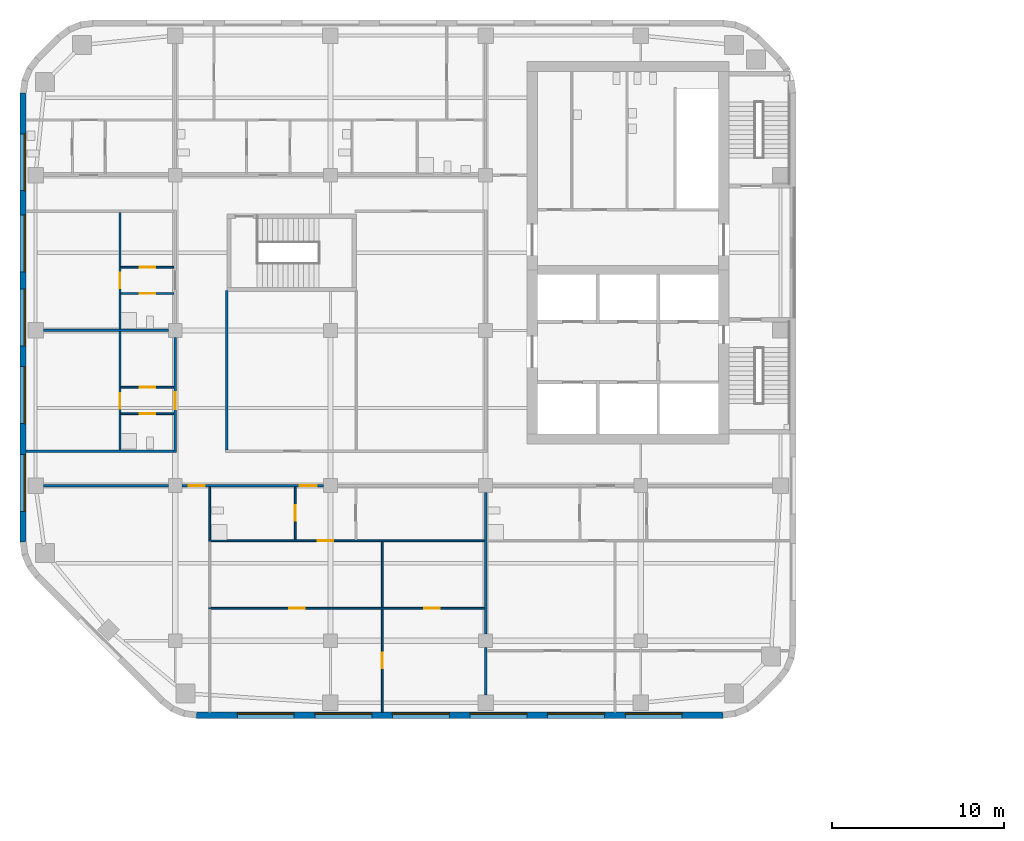
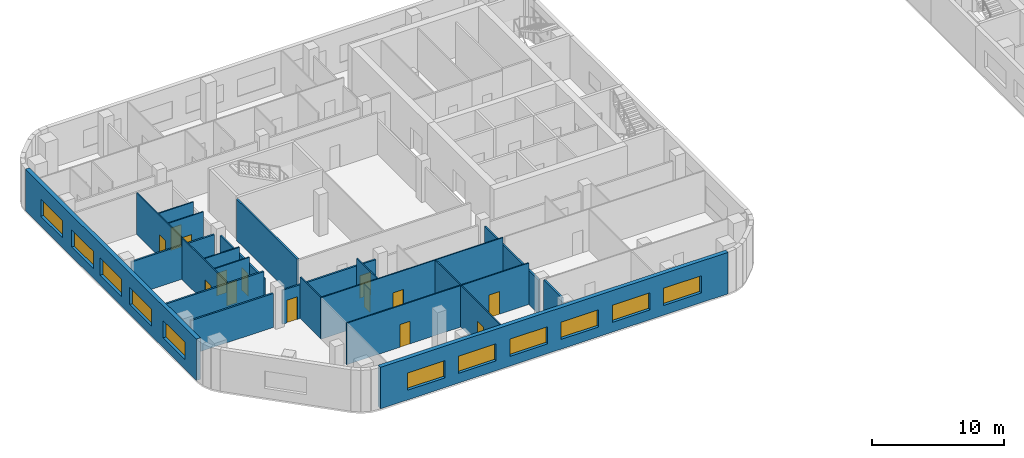
# One storey, part 5 of 16: 22 walls, 14 doors, 11 windows, 25 openings.
"""IFC4 building model written with IfcOpenShell, lengths in metres."""

from ifc_helpers import new_model, si_unit, direction, frame, frame_2d, origin, place, context, subcontext, project, spatial, rectangle, extrude, material, layer, layer_set, type_object, element, fill, save


model = new_model("IFC4")

# Units and contexts
model_context = context("Model", 3, precision=1e-05, world=origin(), true_north=direction((0.0, 1.0)))
body_context = subcontext(model_context, "Body", "Model", "MODEL_VIEW")
ifc_project = project(units=[si_unit("LENGTHUNIT", "METRE"), si_unit("AREAUNIT", "SQUARE_METRE"), si_unit("VOLUMEUNIT", "CUBIC_METRE"), si_unit("PLANEANGLEUNIT", "RADIAN"), si_unit("MASSUNIT", "GRAM", prefix="KILO")], contexts=[model_context])

# Site, building, storey
site_placement = place(None, origin())
site = spatial("IfcSite", under=ifc_project, at=site_placement, CompositionType="ELEMENT")
building_placement = place(site_placement, origin())
building = spatial("IfcBuilding", under=site, at=building_placement, Name="Cinnabar Reach Civic Tower", CompositionType="ELEMENT")
storey_placement = place(building_placement, frame((0.0, 0.0, 34.0)))
storey = spatial("IfcBuildingStorey", under=building, at=storey_placement, Name="L07", CompositionType="ELEMENT", Elevation=34.0)

# Wall, openings, windows
ifc_material_1 = material(Name="Facing brick with insulated backing", Category="masonry")
ifc_layer_1 = layer(ifc_material_1, 0.36)
ifc_layer_set_1 = layer_set([ifc_layer_1], Name="Brick pier and spandrel wall")
wall_type_1 = type_object("IfcWallType", Name="Brick pier and spandrel wall", PredefinedType="STANDARD", material=ifc_layer_set_1)
wall_1_placement = place(storey_placement, frame((-61.7574, 4.68, 0.0), z_axis=(0.0, 0.0, 1.0), x_axis=(1.0, 0.0, 0.0)))
wall_1 = element("IfcWall", 1, at=wall_1_placement, inside=storey, type_object=wall_type_1, Name="Brick facade wall", PredefinedType="STANDARD", context=body_context, shape_type="SweptSolid", body=[
    extrude(rectangle(XDim=30.5148, YDim=0.36, at=frame_2d((15.2574, 0.0))), origin(), (0.0, 0.0, 1.0), 3.85),
])
opening_1_placement = place(wall_1_placement, frame((2.3574, 0.0, 0.9)))
opening_1 = element("IfcOpeningElement", 2, at=opening_1_placement, cuts=wall_1, Name="Opening W2394", PredefinedType="OPENING", context=body_context, shape_type="SweptSolid", body=[
    extrude(rectangle(XDim=3.3, YDim=1.6, at=frame_2d((1.65, 0.8))), frame((0.0, 0.19, 0.0), z_axis=(0.0, -1.0, 0.0), x_axis=(1.0, 0.0, 0.0)), (0.0, 0.0, 1.0), 0.38),
])
opening_2_placement = place(wall_1_placement, frame((6.8574, 0.0, 0.9)))
opening_2 = element("IfcOpeningElement", 3, at=opening_2_placement, cuts=wall_1, Name="Opening W2395", PredefinedType="OPENING", context=body_context, shape_type="SweptSolid", body=[
    extrude(rectangle(XDim=3.3, YDim=1.6, at=frame_2d((1.65, 0.8))), frame((0.0, 0.19, 0.0), z_axis=(0.0, -1.0, 0.0), x_axis=(1.0, 0.0, 0.0)), (0.0, 0.0, 1.0), 0.38),
])
opening_3_placement = place(wall_1_placement, frame((11.3574, 0.0, 0.9)))
opening_3 = element("IfcOpeningElement", 4, at=opening_3_placement, cuts=wall_1, Name="Opening W2396", PredefinedType="OPENING", context=body_context, shape_type="SweptSolid", body=[
    extrude(rectangle(XDim=3.3, YDim=1.6, at=frame_2d((1.65, 0.8))), frame((0.0, 0.19, 0.0), z_axis=(0.0, -1.0, 0.0), x_axis=(1.0, 0.0, 0.0)), (0.0, 0.0, 1.0), 0.38),
])
opening_4_placement = place(wall_1_placement, frame((15.8574, 0.0, 0.9)))
opening_4 = element("IfcOpeningElement", 5, at=opening_4_placement, cuts=wall_1, Name="Opening W2397", PredefinedType="OPENING", context=body_context, shape_type="SweptSolid", body=[
    extrude(rectangle(XDim=3.3, YDim=1.6, at=frame_2d((1.65, 0.8))), frame((0.0, 0.19, 0.0), z_axis=(0.0, -1.0, 0.0), x_axis=(1.0, 0.0, 0.0)), (0.0, 0.0, 1.0), 0.38),
])
opening_5_placement = place(wall_1_placement, frame((20.3574, 0.0, 0.9)))
opening_5 = element("IfcOpeningElement", 6, at=opening_5_placement, cuts=wall_1, Name="Opening W2398", PredefinedType="OPENING", context=body_context, shape_type="SweptSolid", body=[
    extrude(rectangle(XDim=3.3, YDim=1.6, at=frame_2d((1.65, 0.8))), frame((0.0, 0.19, 0.0), z_axis=(0.0, -1.0, 0.0), x_axis=(1.0, 0.0, 0.0)), (0.0, 0.0, 1.0), 0.38),
])
opening_6_placement = place(wall_1_placement, frame((24.8574, 0.0, 0.9)))
opening_6 = element("IfcOpeningElement", 7, at=opening_6_placement, cuts=wall_1, Name="Opening W2399", PredefinedType="OPENING", context=body_context, shape_type="SweptSolid", body=[
    extrude(rectangle(XDim=3.3, YDim=1.6, at=frame_2d((1.65, 0.8))), frame((0.0, 0.19, 0.0), z_axis=(0.0, -1.0, 0.0), x_axis=(1.0, 0.0, 0.0)), (0.0, 0.0, 1.0), 0.38),
])
ifc_material_2 = material(Name="Clear double glazing in aluminium frame", Category="aluminium")
window_type = type_object("IfcWindowType", Name="Deep-set window A", PartitioningType="SINGLE_PANEL", PredefinedType="WINDOW", material=ifc_material_2)
window_1_placement = place(opening_1_placement, origin())
window_1 = element("IfcWindow", 8, at=window_1_placement, inside=storey, type_object=window_type, Name="Window south face", OverallHeight=1.6, OverallWidth=3.3, PartitioningType="SINGLE_PANEL", PredefinedType="WINDOW", context=body_context, shape_type="SweptSolid", body=[
    extrude(rectangle(XDim=3.3, YDim=1.6, at=frame_2d((1.65, 0.8))), frame((0.0, 0.13, 0.0), z_axis=(0.0, -1.0, 0.0), x_axis=(1.0, 0.0, 0.0)), (0.0, 0.0, 1.0), 0.06),
])
fill(opening_1, window_1)
window_2_placement = place(opening_2_placement, origin())
window_2 = element("IfcWindow", 9, at=window_2_placement, inside=storey, type_object=window_type, Name="Window south face", OverallHeight=1.6, OverallWidth=3.3, PartitioningType="SINGLE_PANEL", PredefinedType="WINDOW", context=body_context, shape_type="SweptSolid", body=[
    extrude(rectangle(XDim=3.3, YDim=1.6, at=frame_2d((1.65, 0.8))), frame((0.0, 0.13, 0.0), z_axis=(0.0, -1.0, 0.0), x_axis=(1.0, 0.0, 0.0)), (0.0, 0.0, 1.0), 0.06),
])
fill(opening_2, window_2)
window_3_placement = place(opening_3_placement, origin())
window_3 = element("IfcWindow", 10, at=window_3_placement, inside=storey, type_object=window_type, Name="Window south face", OverallHeight=1.6, OverallWidth=3.3, PartitioningType="SINGLE_PANEL", PredefinedType="WINDOW", context=body_context, shape_type="SweptSolid", body=[
    extrude(rectangle(XDim=3.3, YDim=1.6, at=frame_2d((1.65, 0.8))), frame((0.0, 0.13, 0.0), z_axis=(0.0, -1.0, 0.0), x_axis=(1.0, 0.0, 0.0)), (0.0, 0.0, 1.0), 0.06),
])
fill(opening_3, window_3)
window_4_placement = place(opening_4_placement, origin())
window_4 = element("IfcWindow", 11, at=window_4_placement, inside=storey, type_object=window_type, Name="Window south face", OverallHeight=1.6, OverallWidth=3.3, PartitioningType="SINGLE_PANEL", PredefinedType="WINDOW", context=body_context, shape_type="SweptSolid", body=[
    extrude(rectangle(XDim=3.3, YDim=1.6, at=frame_2d((1.65, 0.8))), frame((0.0, 0.13, 0.0), z_axis=(0.0, -1.0, 0.0), x_axis=(1.0, 0.0, 0.0)), (0.0, 0.0, 1.0), 0.06),
])
fill(opening_4, window_4)
window_5_placement = place(opening_5_placement, origin())
window_5 = element("IfcWindow", 12, at=window_5_placement, inside=storey, type_object=window_type, Name="Window south face", OverallHeight=1.6, OverallWidth=3.3, PartitioningType="SINGLE_PANEL", PredefinedType="WINDOW", context=body_context, shape_type="SweptSolid", body=[
    extrude(rectangle(XDim=3.3, YDim=1.6, at=frame_2d((1.65, 0.8))), frame((0.0, 0.13, 0.0), z_axis=(0.0, -1.0, 0.0), x_axis=(1.0, 0.0, 0.0)), (0.0, 0.0, 1.0), 0.06),
])
fill(opening_5, window_5)
window_6_placement = place(opening_6_placement, origin())
window_6 = element("IfcWindow", 13, at=window_6_placement, inside=storey, type_object=window_type, Name="Window south face", OverallHeight=1.6, OverallWidth=3.3, PartitioningType="SINGLE_PANEL", PredefinedType="WINDOW", context=body_context, shape_type="SweptSolid", body=[
    extrude(rectangle(XDim=3.3, YDim=1.6, at=frame_2d((1.65, 0.8))), frame((0.0, 0.13, 0.0), z_axis=(0.0, -1.0, 0.0), x_axis=(1.0, 0.0, 0.0)), (0.0, 0.0, 1.0), 0.06),
])
fill(opening_6, window_6)

wall_2_placement = place(storey_placement, frame((-71.82, 40.7574, 0.0), z_axis=(0.0, 0.0, 1.0), x_axis=(0.0, -1.0, 0.0)))
wall_2 = element("IfcWall", 14, at=wall_2_placement, inside=storey, type_object=wall_type_1, Name="Brick facade wall", PredefinedType="STANDARD", context=body_context, shape_type="SweptSolid", body=[
    extrude(rectangle(XDim=26.0148, YDim=0.36, at=frame_2d((13.0074, 0.0))), origin(), (0.0, 0.0, 1.0), 3.85),
])
opening_7_placement = place(wall_2_placement, frame((2.3574, 0.0, 0.9)))
opening_7 = element("IfcOpeningElement", 15, at=opening_7_placement, cuts=wall_2, Name="Opening W2410", PredefinedType="OPENING", context=body_context, shape_type="SweptSolid", body=[
    extrude(rectangle(XDim=3.3, YDim=1.6, at=frame_2d((1.65, 0.8))), frame((0.0, 0.19, 0.0), z_axis=(0.0, -1.0, 0.0), x_axis=(1.0, 0.0, 0.0)), (0.0, 0.0, 1.0), 0.38),
])
opening_8_placement = place(wall_2_placement, frame((7.0574, 0.0, 0.9)))
opening_8 = element("IfcOpeningElement", 16, at=opening_8_placement, cuts=wall_2, Name="Opening W2411", PredefinedType="OPENING", context=body_context, shape_type="SweptSolid", body=[
    extrude(rectangle(XDim=3.3, YDim=1.6, at=frame_2d((1.65, 0.8))), frame((0.0, 0.19, 0.0), z_axis=(0.0, -1.0, 0.0), x_axis=(1.0, 0.0, 0.0)), (0.0, 0.0, 1.0), 0.38),
])
opening_9_placement = place(wall_2_placement, frame((11.3574, 0.0, 0.9)))
opening_9 = element("IfcOpeningElement", 17, at=opening_9_placement, cuts=wall_2, Name="Opening W2412", PredefinedType="OPENING", context=body_context, shape_type="SweptSolid", body=[
    extrude(rectangle(XDim=3.3, YDim=1.6, at=frame_2d((1.65, 0.8))), frame((0.0, 0.19, 0.0), z_axis=(0.0, -1.0, 0.0), x_axis=(1.0, 0.0, 0.0)), (0.0, 0.0, 1.0), 0.38),
])
opening_10_placement = place(wall_2_placement, frame((15.8574, 0.0, 0.9)))
opening_10 = element("IfcOpeningElement", 18, at=opening_10_placement, cuts=wall_2, Name="Opening W2413", PredefinedType="OPENING", context=body_context, shape_type="SweptSolid", body=[
    extrude(rectangle(XDim=3.3, YDim=1.6, at=frame_2d((1.65, 0.8))), frame((0.0, 0.19, 0.0), z_axis=(0.0, -1.0, 0.0), x_axis=(1.0, 0.0, 0.0)), (0.0, 0.0, 1.0), 0.38),
])
opening_11_placement = place(wall_2_placement, frame((20.9574, 0.0, 0.9)))
opening_11 = element("IfcOpeningElement", 19, at=opening_11_placement, cuts=wall_2, Name="Opening W2414", PredefinedType="OPENING", context=body_context, shape_type="SweptSolid", body=[
    extrude(rectangle(XDim=3.3, YDim=1.6, at=frame_2d((1.65, 0.8))), frame((0.0, 0.19, 0.0), z_axis=(0.0, -1.0, 0.0), x_axis=(1.0, 0.0, 0.0)), (0.0, 0.0, 1.0), 0.38),
])
window_7_placement = place(opening_7_placement, origin())
window_7 = element("IfcWindow", 20, at=window_7_placement, inside=storey, type_object=window_type, Name="Window west face", OverallHeight=1.6, OverallWidth=3.3, PartitioningType="SINGLE_PANEL", PredefinedType="WINDOW", context=body_context, shape_type="SweptSolid", body=[
    extrude(rectangle(XDim=3.3, YDim=1.6, at=frame_2d((1.65, 0.8))), frame((0.0, 0.13, 0.0), z_axis=(0.0, -1.0, 0.0), x_axis=(1.0, 0.0, 0.0)), (0.0, 0.0, 1.0), 0.06),
])
fill(opening_7, window_7)
window_8_placement = place(opening_8_placement, origin())
window_8 = element("IfcWindow", 21, at=window_8_placement, inside=storey, type_object=window_type, Name="Window west face", OverallHeight=1.6, OverallWidth=3.3, PartitioningType="SINGLE_PANEL", PredefinedType="WINDOW", context=body_context, shape_type="SweptSolid", body=[
    extrude(rectangle(XDim=3.3, YDim=1.6, at=frame_2d((1.65, 0.8))), frame((0.0, 0.13, 0.0), z_axis=(0.0, -1.0, 0.0), x_axis=(1.0, 0.0, 0.0)), (0.0, 0.0, 1.0), 0.06),
])
fill(opening_8, window_8)
window_9_placement = place(opening_9_placement, origin())
window_9 = element("IfcWindow", 22, at=window_9_placement, inside=storey, type_object=window_type, Name="Window west face", OverallHeight=1.6, OverallWidth=3.3, PartitioningType="SINGLE_PANEL", PredefinedType="WINDOW", context=body_context, shape_type="SweptSolid", body=[
    extrude(rectangle(XDim=3.3, YDim=1.6, at=frame_2d((1.65, 0.8))), frame((0.0, 0.13, 0.0), z_axis=(0.0, -1.0, 0.0), x_axis=(1.0, 0.0, 0.0)), (0.0, 0.0, 1.0), 0.06),
])
fill(opening_9, window_9)
window_10_placement = place(opening_10_placement, origin())
window_10 = element("IfcWindow", 23, at=window_10_placement, inside=storey, type_object=window_type, Name="Window west face", OverallHeight=1.6, OverallWidth=3.3, PartitioningType="SINGLE_PANEL", PredefinedType="WINDOW", context=body_context, shape_type="SweptSolid", body=[
    extrude(rectangle(XDim=3.3, YDim=1.6, at=frame_2d((1.65, 0.8))), frame((0.0, 0.13, 0.0), z_axis=(0.0, -1.0, 0.0), x_axis=(1.0, 0.0, 0.0)), (0.0, 0.0, 1.0), 0.06),
])
fill(opening_10, window_10)
window_11_placement = place(opening_11_placement, origin())
window_11 = element("IfcWindow", 24, at=window_11_placement, inside=storey, type_object=window_type, Name="Window west face", OverallHeight=1.6, OverallWidth=3.3, PartitioningType="SINGLE_PANEL", PredefinedType="WINDOW", context=body_context, shape_type="SweptSolid", body=[
    extrude(rectangle(XDim=3.3, YDim=1.6, at=frame_2d((1.65, 0.8))), frame((0.0, 0.13, 0.0), z_axis=(0.0, -1.0, 0.0), x_axis=(1.0, 0.0, 0.0)), (0.0, 0.0, 1.0), 0.06),
])
fill(opening_11, window_11)

# Wall, openings, doors
ifc_material_3 = material(Name="Gypsum board on steel studs, double layer", Category="steel")
ifc_layer_2 = layer(ifc_material_3, 0.15)
ifc_layer_set_2 = layer_set([ifc_layer_2], Name="Corridor wall 150 T2")
wall_type_2 = type_object("IfcWallType", Name="Corridor wall 150 T2", PredefinedType="PARTITIONING", material=ifc_layer_set_2)
wall_3_placement = place(storey_placement, frame((-62.6, 18.0, 0.0), z_axis=(0.0, 0.0, 1.0), x_axis=(1.0, 0.0, 0.0)))
wall_3 = element("IfcWall", 25, at=wall_3_placement, inside=storey, type_object=wall_type_2, Name="Corridor wall 4", PredefinedType="PARTITIONING", context=body_context, shape_type="SweptSolid", body=[
    extrude(rectangle(XDim=8.2, YDim=0.15, at=frame_2d((4.1, 0.0))), origin(), (0.0, 0.0, 1.0), 3.15),
])
opening_12_placement = place(wall_3_placement, frame((0.4, 0.0, 0.0)))
opening_12 = element("IfcOpeningElement", 26, at=opening_12_placement, cuts=wall_3, Name="Opening D6220", PredefinedType="OPENING", context=body_context, shape_type="SweptSolid", body=[
    extrude(rectangle(XDim=0.9, YDim=2.1, at=frame_2d((0.45, 1.05))), frame((0.0, 0.085, 0.0), z_axis=(0.0, -1.0, 0.0), x_axis=(1.0, 0.0, 0.0)), (0.0, 0.0, 1.0), 0.17),
])
opening_13_placement = place(wall_3_placement, frame((6.81, 0.0, 0.0)))
opening_13 = element("IfcOpeningElement", 27, at=opening_13_placement, cuts=wall_3, Name="Opening D6227", PredefinedType="OPENING", context=body_context, shape_type="SweptSolid", body=[
    extrude(rectangle(XDim=1.0, YDim=2.1, at=frame_2d((0.5, 1.05))), frame((0.0, 0.085, 0.0), z_axis=(0.0, -1.0, 0.0), x_axis=(1.0, 0.0, 0.0)), (0.0, 0.0, 1.0), 0.17),
])
ifc_material_4 = material(Name="Timber door leaf in steel frame", Category="steel")
door_type_1 = type_object("IfcDoorType", Name="Single swing door 900 x 2100 T2", OperationType="SINGLE_SWING_LEFT", PredefinedType="DOOR", material=ifc_material_4)
door_1_placement = place(opening_12_placement, frame((0.9, 0.0, 0.0), z_axis=(0.0, 0.0, 1.0), x_axis=(-1.0, 0.0, 0.0)))
door_1 = element("IfcDoor", 28, at=door_1_placement, inside=storey, type_object=door_type_1, Name="Door D6220", OperationType="SINGLE_SWING_LEFT", OverallHeight=2.1, OverallWidth=0.9, PredefinedType="DOOR", context=body_context, shape_type="SweptSolid", body=[
    extrude(rectangle(XDim=0.9, YDim=2.1, at=frame_2d((0.45, 1.05))), frame((0.0, 0.025, 0.0), z_axis=(0.0, -1.0, 0.0), x_axis=(1.0, 0.0, 0.0)), (0.0, 0.0, 1.0), 0.05),
])
fill(opening_12, door_1)
door_type_2 = type_object("IfcDoorType", Name="Tenancy entrance door 1000 x 2100 T2", OperationType="SINGLE_SWING_LEFT", PredefinedType="DOOR", material=ifc_material_4)
door_2_placement = place(opening_13_placement, frame((1.0, 0.0, 0.0), z_axis=(0.0, 0.0, 1.0), x_axis=(-1.0, 0.0, 0.0)))
door_2 = element("IfcDoor", 29, at=door_2_placement, inside=storey, type_object=door_type_2, Name="Door D6227", OperationType="SINGLE_SWING_RIGHT", OverallHeight=2.1, OverallWidth=1.0, PredefinedType="DOOR", context=body_context, shape_type="SweptSolid", body=[
    extrude(rectangle(XDim=1.0, YDim=2.1, at=frame_2d((0.5, 1.05))), frame((0.0, 0.025, 0.0), z_axis=(0.0, -1.0, 0.0), x_axis=(1.0, 0.0, 0.0)), (0.0, 0.0, 1.0), 0.05),
])
fill(opening_13, door_2)

# Wall
wall_4_placement = place(storey_placement, frame((-70.65, 18.0, 0.0), z_axis=(0.0, 0.0, 1.0), x_axis=(1.0, 0.0, 0.0)))
element("IfcWall", 30, at=wall_4_placement, inside=storey, type_object=wall_type_2, Name="Corridor wall 5", PredefinedType="PARTITIONING", context=body_context, shape_type="SweptSolid", body=[
    extrude(rectangle(XDim=7.25, YDim=0.15, at=frame_2d((3.625, 0.0))), origin(), (0.0, 0.0, 1.0), 3.15),
])

# Wall, opening, door
wall_5_placement = place(storey_placement, frame((-63.0, 19.925, 0.0), z_axis=(0.0, 0.0, 1.0), x_axis=(0.0, 1.0, 0.0)))
wall_5 = element("IfcWall", 31, at=wall_5_placement, inside=storey, type_object=wall_type_2, Name="Corridor wall 11", PredefinedType="PARTITIONING", context=body_context, shape_type="SweptSolid", body=[
    extrude(rectangle(XDim=6.675, YDim=0.15, at=frame_2d((3.3375, 0.0))), origin(), (0.0, 0.0, 1.0), 3.158),
])
opening_14_placement = place(wall_5_placement, frame((2.495, 0.0, 0.0)))
opening_14 = element("IfcOpeningElement", 32, at=opening_14_placement, cuts=wall_5, Name="Opening D6250", PredefinedType="OPENING", context=body_context, shape_type="SweptSolid", body=[
    extrude(rectangle(XDim=1.0, YDim=2.1, at=frame_2d((0.5, 1.05))), frame((0.0, 0.085, 0.0), z_axis=(0.0, -1.0, 0.0), x_axis=(1.0, 0.0, 0.0)), (0.0, 0.0, 1.0), 0.17),
])
door_3_placement = place(opening_14_placement, origin())
door_3 = element("IfcDoor", 33, at=door_3_placement, inside=storey, type_object=door_type_2, Name="Door D6250", OperationType="SINGLE_SWING_LEFT", OverallHeight=2.1, OverallWidth=1.0, PredefinedType="DOOR", context=body_context, shape_type="SweptSolid", body=[
    extrude(rectangle(XDim=1.0, YDim=2.1, at=frame_2d((0.5, 1.05))), frame((0.0, 0.025, 0.0), z_axis=(0.0, -1.0, 0.0), x_axis=(1.0, 0.0, 0.0)), (0.0, 0.0, 1.0), 0.05),
])
fill(opening_14, door_3)

# Walls
wall_6_placement = place(storey_placement, frame((-60.0, 20.075, 0.0), z_axis=(0.0, 0.0, 1.0), x_axis=(0.0, 1.0, 0.0)))
element("IfcWall", 34, at=wall_6_placement, inside=storey, type_object=wall_type_2, Name="Corridor wall 15", PredefinedType="PARTITIONING", context=body_context, shape_type="SweptSolid", body=[
    extrude(rectangle(XDim=9.25, YDim=0.15, at=frame_2d((4.625, 0.0))), origin(), (0.0, 0.0, 1.0), 3.85),
])
wall_7_placement = place(storey_placement, frame((-71.64, 20.0, 0.0), z_axis=(0.0, 0.0, 1.0), x_axis=(1.0, 0.0, 0.0)))
element("IfcWall", 35, at=wall_7_placement, inside=storey, type_object=wall_type_2, Name="Corridor wall 16", PredefinedType="PARTITIONING", context=body_context, shape_type="SweptSolid", body=[
    extrude(rectangle(XDim=8.565, YDim=0.15, at=frame_2d((4.2825, 0.0))), origin(), (0.0, 0.0, 1.0), 3.85),
])

# Wall, opening, door
ifc_material_5 = material(Name="Gypsum board on steel studs", Category="steel")
ifc_layer_3 = layer(ifc_material_5, 0.1)
ifc_layer_set_3 = layer_set([ifc_layer_3], Name="Partition wall 100 T2")
wall_type_3 = type_object("IfcWallType", Name="Partition wall 100 T2", PredefinedType="PARTITIONING", material=ifc_layer_set_3)
wall_8_placement = place(storey_placement, frame((-61.05, 14.8, 0.0), z_axis=(0.0, 0.0, 1.0), x_axis=(1.0, 0.0, 0.0)))
wall_8 = element("IfcWall", 36, at=wall_8_placement, inside=storey, type_object=wall_type_3, Name="Partition wall 23", PredefinedType="PARTITIONING", context=body_context, shape_type="SweptSolid", body=[
    extrude(rectangle(XDim=15.975, YDim=0.1, at=frame_2d((7.9875, 0.0))), origin(), (0.0, 0.0, 1.0), 3.85),
])
opening_15_placement = place(wall_8_placement, frame((6.31, 0.0, 0.0)))
opening_15 = element("IfcOpeningElement", 37, at=opening_15_placement, cuts=wall_8, Name="Opening D6223", PredefinedType="OPENING", context=body_context, shape_type="SweptSolid", body=[
    extrude(rectangle(XDim=0.9, YDim=2.1, at=frame_2d((0.45, 1.05))), frame((0.0, 0.06, 0.0), z_axis=(0.0, -1.0, 0.0), x_axis=(1.0, 0.0, 0.0)), (0.0, 0.0, 1.0), 0.12),
])
door_4_placement = place(opening_15_placement, origin())
door_4 = element("IfcDoor", 38, at=door_4_placement, inside=storey, type_object=door_type_1, Name="Door D6223", OperationType="SINGLE_SWING_LEFT", OverallHeight=2.1, OverallWidth=0.9, PredefinedType="DOOR", context=body_context, shape_type="SweptSolid", body=[
    extrude(rectangle(XDim=0.9, YDim=2.1, at=frame_2d((0.45, 1.05))), frame((0.0, 0.025, 0.0), z_axis=(0.0, -1.0, 0.0), x_axis=(1.0, 0.0, 0.0)), (0.0, 0.0, 1.0), 0.05),
])
fill(opening_15, door_4)

# Wall, openings, doors
wall_9_placement = place(storey_placement, frame((-61.05, 10.8933, 0.0), z_axis=(0.0, 0.0, 1.0), x_axis=(1.0, 0.0, 0.0)))
wall_9 = element("IfcWall", 39, at=wall_9_placement, inside=storey, type_object=wall_type_3, Name="Partition wall 29", PredefinedType="PARTITIONING", context=body_context, shape_type="SweptSolid", body=[
    extrude(rectangle(XDim=15.975, YDim=0.1, at=frame_2d((7.9875, 0.0))), origin(), (0.0, 0.0, 1.0), 3.85),
])
opening_16_placement = place(wall_9_placement, frame((4.65, 0.0, 0.0)))
opening_16 = element("IfcOpeningElement", 40, at=opening_16_placement, cuts=wall_9, Name="Opening D6225", PredefinedType="OPENING", context=body_context, shape_type="SweptSolid", body=[
    extrude(rectangle(XDim=0.9, YDim=2.1, at=frame_2d((0.45, 1.05))), frame((0.0, 0.06, 0.0), z_axis=(0.0, -1.0, 0.0), x_axis=(1.0, 0.0, 0.0)), (0.0, 0.0, 1.0), 0.12),
])
opening_17_placement = place(wall_9_placement, frame((12.5, 0.0, 0.0)))
opening_17 = element("IfcOpeningElement", 41, at=opening_17_placement, cuts=wall_9, Name="Opening D6226", PredefinedType="OPENING", context=body_context, shape_type="SweptSolid", body=[
    extrude(rectangle(XDim=0.9, YDim=2.1, at=frame_2d((0.45, 1.05))), frame((0.0, 0.06, 0.0), z_axis=(0.0, -1.0, 0.0), x_axis=(1.0, 0.0, 0.0)), (0.0, 0.0, 1.0), 0.12),
])
door_5_placement = place(opening_16_placement, origin())
door_5 = element("IfcDoor", 42, at=door_5_placement, inside=storey, type_object=door_type_1, Name="Door D6225", OperationType="SINGLE_SWING_RIGHT", OverallHeight=2.1, OverallWidth=0.9, PredefinedType="DOOR", context=body_context, shape_type="SweptSolid", body=[
    extrude(rectangle(XDim=0.9, YDim=2.1, at=frame_2d((0.45, 1.05))), frame((0.0, 0.025, 0.0), z_axis=(0.0, -1.0, 0.0), x_axis=(1.0, 0.0, 0.0)), (0.0, 0.0, 1.0), 0.05),
])
fill(opening_16, door_5)
door_6_placement = place(opening_17_placement, frame((0.9, 0.0, 0.0), z_axis=(0.0, 0.0, 1.0), x_axis=(-1.0, 0.0, 0.0)))
door_6 = element("IfcDoor", 43, at=door_6_placement, inside=storey, type_object=door_type_1, Name="Door D6226", OperationType="SINGLE_SWING_LEFT", OverallHeight=2.1, OverallWidth=0.9, PredefinedType="DOOR", context=body_context, shape_type="SweptSolid", body=[
    extrude(rectangle(XDim=0.9, YDim=2.1, at=frame_2d((0.45, 1.05))), frame((0.0, 0.025, 0.0), z_axis=(0.0, -1.0, 0.0), x_axis=(1.0, 0.0, 0.0)), (0.0, 0.0, 1.0), 0.05),
])
fill(opening_17, door_6)

# Wall, opening, door
wall_10_placement = place(storey_placement, frame((-66.2, 27.075, 0.0), z_axis=(0.0, 0.0, 1.0), x_axis=(0.0, 1.0, 0.0)))
wall_10 = element("IfcWall", 44, at=wall_10_placement, inside=storey, type_object=wall_type_3, Name="Partition wall 30", PredefinedType="PARTITIONING", context=body_context, shape_type="SweptSolid", body=[
    extrude(rectangle(XDim=6.75, YDim=0.1, at=frame_2d((3.375, 0.0))), origin(), (0.0, 0.0, 1.0), 3.85),
])
opening_18_placement = place(wall_10_placement, frame((2.364, 0.0, 0.0)))
opening_18 = element("IfcOpeningElement", 45, at=opening_18_placement, cuts=wall_10, Name="Opening D6253", PredefinedType="OPENING", context=body_context, shape_type="SweptSolid", body=[
    extrude(rectangle(XDim=0.9, YDim=2.1, at=frame_2d((0.45, 1.05))), frame((0.0, 0.06, 0.0), z_axis=(0.0, -1.0, 0.0), x_axis=(1.0, 0.0, 0.0)), (0.0, 0.0, 1.0), 0.12),
])
door_7_placement = place(opening_18_placement, frame((0.9, 0.0, 0.0), z_axis=(0.0, 0.0, 1.0), x_axis=(-1.0, 0.0, 0.0)))
door_7 = element("IfcDoor", 46, at=door_7_placement, inside=storey, type_object=door_type_1, Name="Door D6253", OperationType="SINGLE_SWING_LEFT", OverallHeight=2.1, OverallWidth=0.9, PredefinedType="DOOR", context=body_context, shape_type="SweptSolid", body=[
    extrude(rectangle(XDim=0.9, YDim=2.1, at=frame_2d((0.45, 1.05))), frame((0.0, 0.025, 0.0), z_axis=(0.0, -1.0, 0.0), x_axis=(1.0, 0.0, 0.0)), (0.0, 0.0, 1.0), 0.05),
])
fill(opening_18, door_7)

wall_11_placement = place(storey_placement, frame((-66.2, 20.075, 0.0), z_axis=(0.0, 0.0, 1.0), x_axis=(0.0, 1.0, 0.0)))
wall_11 = element("IfcWall", 47, at=wall_11_placement, inside=storey, type_object=wall_type_3, Name="Partition wall 31", PredefinedType="PARTITIONING", context=body_context, shape_type="SweptSolid", body=[
    extrude(rectangle(XDim=6.85, YDim=0.1, at=frame_2d((3.425, 0.0))), origin(), (0.0, 0.0, 1.0), 3.85),
])
opening_19_placement = place(wall_11_placement, frame((2.395, 0.0, 0.0)))
opening_19 = element("IfcOpeningElement", 48, at=opening_19_placement, cuts=wall_11, Name="Opening D6249", PredefinedType="OPENING", context=body_context, shape_type="SweptSolid", body=[
    extrude(rectangle(XDim=0.9, YDim=2.1, at=frame_2d((0.45, 1.05))), frame((0.0, 0.06, 0.0), z_axis=(0.0, -1.0, 0.0), x_axis=(1.0, 0.0, 0.0)), (0.0, 0.0, 1.0), 0.12),
])
door_8_placement = place(opening_19_placement, frame((0.9, 0.0, 0.0), z_axis=(0.0, 0.0, 1.0), x_axis=(-1.0, 0.0, 0.0)))
door_8 = element("IfcDoor", 49, at=door_8_placement, inside=storey, type_object=door_type_1, Name="Door D6249", OperationType="SINGLE_SWING_RIGHT", OverallHeight=2.1, OverallWidth=0.9, PredefinedType="DOOR", context=body_context, shape_type="SweptSolid", body=[
    extrude(rectangle(XDim=0.9, YDim=2.1, at=frame_2d((0.45, 1.05))), frame((0.0, 0.025, 0.0), z_axis=(0.0, -1.0, 0.0), x_axis=(1.0, 0.0, 0.0)), (0.0, 0.0, 1.0), 0.05),
])
fill(opening_19, door_8)

# Walls
wall_12_placement = place(storey_placement, frame((-61.0, 14.85, 0.0), z_axis=(0.0, 0.0, 1.0), x_axis=(0.0, 1.0, 0.0)))
element("IfcWall", 50, at=wall_12_placement, inside=storey, type_object=wall_type_3, Name="Partition wall 32", PredefinedType="PARTITIONING", context=body_context, shape_type="SweptSolid", body=[
    extrude(rectangle(XDim=3.075, YDim=0.1, at=frame_2d((1.5375, 0.0))), origin(), (0.0, 0.0, 1.0), 3.85),
])
wall_13_placement = place(storey_placement, frame((-51.0, 10.9433, 0.0), z_axis=(0.0, 0.0, 1.0), x_axis=(0.0, 1.0, 0.0)))
element("IfcWall", 51, at=wall_13_placement, inside=storey, type_object=wall_type_3, Name="Partition wall 35", PredefinedType="PARTITIONING", context=body_context, shape_type="SweptSolid", body=[
    extrude(rectangle(XDim=3.8067, YDim=0.1, at=frame_2d((1.9034, 0.0))), origin(), (0.0, 0.0, 1.0), 3.85),
])

# Wall, opening, door
wall_14_placement = place(storey_placement, frame((-51.0, 4.86, 0.0), z_axis=(0.0, 0.0, 1.0), x_axis=(0.0, 1.0, 0.0)))
wall_14 = element("IfcWall", 52, at=wall_14_placement, inside=storey, type_object=wall_type_3, Name="Partition wall 36", PredefinedType="PARTITIONING", context=body_context, shape_type="SweptSolid", body=[
    extrude(rectangle(XDim=5.9833, YDim=0.1, at=frame_2d((2.9916, 0.0))), origin(), (0.0, 0.0, 1.0), 3.85),
])
opening_20_placement = place(wall_14_placement, frame((2.55, 0.0, 0.0)))
opening_20 = element("IfcOpeningElement", 53, at=opening_20_placement, cuts=wall_14, Name="Opening D6224", PredefinedType="OPENING", context=body_context, shape_type="SweptSolid", body=[
    extrude(rectangle(XDim=0.9, YDim=2.1, at=frame_2d((0.45, 1.05))), frame((0.0, 0.06, 0.0), z_axis=(0.0, -1.0, 0.0), x_axis=(1.0, 0.0, 0.0)), (0.0, 0.0, 1.0), 0.12),
])
door_9_placement = place(opening_20_placement, frame((0.9, 0.0, 0.0), z_axis=(0.0, 0.0, 1.0), x_axis=(-1.0, 0.0, 0.0)))
door_9 = element("IfcDoor", 54, at=door_9_placement, inside=storey, type_object=door_type_1, Name="Door D6224", OperationType="SINGLE_SWING_LEFT", OverallHeight=2.1, OverallWidth=0.9, PredefinedType="DOOR", context=body_context, shape_type="SweptSolid", body=[
    extrude(rectangle(XDim=0.9, YDim=2.1, at=frame_2d((0.45, 1.05))), frame((0.0, 0.025, 0.0), z_axis=(0.0, -1.0, 0.0), x_axis=(1.0, 0.0, 0.0)), (0.0, 0.0, 1.0), 0.05),
])
fill(opening_20, door_9)

wall_15_placement = place(storey_placement, frame((-66.15, 22.17, 0.0), z_axis=(0.0, 0.0, 1.0), x_axis=(1.0, 0.0, 0.0)))
wall_15 = element("IfcWall", 55, at=wall_15_placement, inside=storey, type_object=wall_type_3, Name="Partition wall 44", PredefinedType="PARTITIONING", context=body_context, shape_type="SweptSolid", body=[
    extrude(rectangle(XDim=3.075, YDim=0.1, at=frame_2d((1.5375, 0.0))), origin(), (0.0, 0.0, 1.0), 3.85),
])
opening_21_placement = place(wall_15_placement, frame((1.1, 0.0, 0.0)))
opening_21 = element("IfcOpeningElement", 56, at=opening_21_placement, cuts=wall_15, Name="Opening D6247", PredefinedType="OPENING", context=body_context, shape_type="SweptSolid", body=[
    extrude(rectangle(XDim=0.9, YDim=2.1, at=frame_2d((0.45, 1.05))), frame((0.0, 0.06, 0.0), z_axis=(0.0, -1.0, 0.0), x_axis=(1.0, 0.0, 0.0)), (0.0, 0.0, 1.0), 0.12),
])
door_10_placement = place(opening_21_placement, frame((0.9, 0.0, 0.0), z_axis=(0.0, 0.0, 1.0), x_axis=(-1.0, 0.0, 0.0)))
door_10 = element("IfcDoor", 57, at=door_10_placement, inside=storey, type_object=door_type_1, Name="Door D6247", OperationType="SINGLE_SWING_LEFT", OverallHeight=2.1, OverallWidth=0.9, PredefinedType="DOOR", context=body_context, shape_type="SweptSolid", body=[
    extrude(rectangle(XDim=0.9, YDim=2.1, at=frame_2d((0.45, 1.05))), frame((0.0, 0.025, 0.0), z_axis=(0.0, -1.0, 0.0), x_axis=(1.0, 0.0, 0.0)), (0.0, 0.0, 1.0), 0.05),
])
fill(opening_21, door_10)

wall_16_placement = place(storey_placement, frame((-66.15, 23.71, 0.0), z_axis=(0.0, 0.0, 1.0), x_axis=(1.0, 0.0, 0.0)))
wall_16 = element("IfcWall", 58, at=wall_16_placement, inside=storey, type_object=wall_type_3, Name="Partition wall 45", PredefinedType="PARTITIONING", context=body_context, shape_type="SweptSolid", body=[
    extrude(rectangle(XDim=3.075, YDim=0.1, at=frame_2d((1.5375, 0.0))), origin(), (0.0, 0.0, 1.0), 3.85),
])
opening_22_placement = place(wall_16_placement, frame((1.1, 0.0, 0.0)))
opening_22 = element("IfcOpeningElement", 59, at=opening_22_placement, cuts=wall_16, Name="Opening D6248", PredefinedType="OPENING", context=body_context, shape_type="SweptSolid", body=[
    extrude(rectangle(XDim=0.9, YDim=2.1, at=frame_2d((0.45, 1.05))), frame((0.0, 0.06, 0.0), z_axis=(0.0, -1.0, 0.0), x_axis=(1.0, 0.0, 0.0)), (0.0, 0.0, 1.0), 0.12),
])
door_11_placement = place(opening_22_placement, frame((0.9, 0.0, 0.0), z_axis=(0.0, 0.0, 1.0), x_axis=(-1.0, 0.0, 0.0)))
door_11 = element("IfcDoor", 60, at=door_11_placement, inside=storey, type_object=door_type_1, Name="Door D6248", OperationType="SINGLE_SWING_RIGHT", OverallHeight=2.1, OverallWidth=0.9, PredefinedType="DOOR", context=body_context, shape_type="SweptSolid", body=[
    extrude(rectangle(XDim=0.9, YDim=2.1, at=frame_2d((0.45, 1.05))), frame((0.0, 0.025, 0.0), z_axis=(0.0, -1.0, 0.0), x_axis=(1.0, 0.0, 0.0)), (0.0, 0.0, 1.0), 0.05),
])
fill(opening_22, door_11)

wall_17_placement = place(storey_placement, frame((-66.15, 29.139, 0.0), z_axis=(0.0, 0.0, 1.0), x_axis=(1.0, 0.0, 0.0)))
wall_17 = element("IfcWall", 61, at=wall_17_placement, inside=storey, type_object=wall_type_3, Name="Partition wall 46", PredefinedType="PARTITIONING", context=body_context, shape_type="SweptSolid", body=[
    extrude(rectangle(XDim=3.075, YDim=0.1, at=frame_2d((1.5375, 0.0))), origin(), (0.0, 0.0, 1.0), 3.85),
])
opening_23_placement = place(wall_17_placement, frame((1.1, 0.0, 0.0)))
opening_23 = element("IfcOpeningElement", 62, at=opening_23_placement, cuts=wall_17, Name="Opening D6251", PredefinedType="OPENING", context=body_context, shape_type="SweptSolid", body=[
    extrude(rectangle(XDim=0.9, YDim=2.1, at=frame_2d((0.45, 1.05))), frame((0.0, 0.06, 0.0), z_axis=(0.0, -1.0, 0.0), x_axis=(1.0, 0.0, 0.0)), (0.0, 0.0, 1.0), 0.12),
])
door_12_placement = place(opening_23_placement, frame((0.9, 0.0, 0.0), z_axis=(0.0, 0.0, 1.0), x_axis=(-1.0, 0.0, 0.0)))
door_12 = element("IfcDoor", 63, at=door_12_placement, inside=storey, type_object=door_type_1, Name="Door D6251", OperationType="SINGLE_SWING_LEFT", OverallHeight=2.1, OverallWidth=0.9, PredefinedType="DOOR", context=body_context, shape_type="SweptSolid", body=[
    extrude(rectangle(XDim=0.9, YDim=2.1, at=frame_2d((0.45, 1.05))), frame((0.0, 0.025, 0.0), z_axis=(0.0, -1.0, 0.0), x_axis=(1.0, 0.0, 0.0)), (0.0, 0.0, 1.0), 0.05),
])
fill(opening_23, door_12)

wall_18_placement = place(storey_placement, frame((-66.15, 30.657, 0.0), z_axis=(0.0, 0.0, 1.0), x_axis=(1.0, 0.0, 0.0)))
wall_18 = element("IfcWall", 64, at=wall_18_placement, inside=storey, type_object=wall_type_3, Name="Partition wall 47", PredefinedType="PARTITIONING", context=body_context, shape_type="SweptSolid", body=[
    extrude(rectangle(XDim=3.075, YDim=0.1, at=frame_2d((1.5375, 0.0))), origin(), (0.0, 0.0, 1.0), 3.85),
])
opening_24_placement = place(wall_18_placement, frame((1.1, 0.0, 0.0)))
opening_24 = element("IfcOpeningElement", 65, at=opening_24_placement, cuts=wall_18, Name="Opening D6252", PredefinedType="OPENING", context=body_context, shape_type="SweptSolid", body=[
    extrude(rectangle(XDim=0.9, YDim=2.1, at=frame_2d((0.45, 1.05))), frame((0.0, 0.06, 0.0), z_axis=(0.0, -1.0, 0.0), x_axis=(1.0, 0.0, 0.0)), (0.0, 0.0, 1.0), 0.12),
])
door_13_placement = place(opening_24_placement, frame((0.9, 0.0, 0.0), z_axis=(0.0, 0.0, 1.0), x_axis=(-1.0, 0.0, 0.0)))
door_13 = element("IfcDoor", 66, at=door_13_placement, inside=storey, type_object=door_type_1, Name="Door D6252", OperationType="SINGLE_SWING_LEFT", OverallHeight=2.1, OverallWidth=0.9, PredefinedType="DOOR", context=body_context, shape_type="SweptSolid", body=[
    extrude(rectangle(XDim=0.9, YDim=2.1, at=frame_2d((0.45, 1.05))), frame((0.0, 0.025, 0.0), z_axis=(0.0, -1.0, 0.0), x_axis=(1.0, 0.0, 0.0)), (0.0, 0.0, 1.0), 0.05),
])
fill(opening_24, door_13)

wall_19_placement = place(storey_placement, frame((-56.04, 14.85, 0.0), z_axis=(0.0, 0.0, 1.0), x_axis=(0.0, 1.0, 0.0)))
wall_19 = element("IfcWall", 67, at=wall_19_placement, inside=storey, type_object=wall_type_3, Name="Partition wall 54", PredefinedType="PARTITIONING", context=body_context, shape_type="SweptSolid", body=[
    extrude(rectangle(XDim=3.075, YDim=0.1, at=frame_2d((1.5375, 0.0))), origin(), (0.0, 0.0, 1.0), 3.85),
])
opening_25_placement = place(wall_19_placement, frame((1.1, 0.0, 0.0)))
opening_25 = element("IfcOpeningElement", 68, at=opening_25_placement, cuts=wall_19, Name="Opening D6221", PredefinedType="OPENING", context=body_context, shape_type="SweptSolid", body=[
    extrude(rectangle(XDim=0.9, YDim=2.1, at=frame_2d((0.45, 1.05))), frame((0.0, 0.06, 0.0), z_axis=(0.0, -1.0, 0.0), x_axis=(1.0, 0.0, 0.0)), (0.0, 0.0, 1.0), 0.12),
])
door_14_placement = place(opening_25_placement, origin())
door_14 = element("IfcDoor", 69, at=door_14_placement, inside=storey, type_object=door_type_1, Name="Door D6221", OperationType="SINGLE_SWING_RIGHT", OverallHeight=2.1, OverallWidth=0.9, PredefinedType="DOOR", context=body_context, shape_type="SweptSolid", body=[
    extrude(rectangle(XDim=0.9, YDim=2.1, at=frame_2d((0.45, 1.05))), frame((0.0, 0.025, 0.0), z_axis=(0.0, -1.0, 0.0), x_axis=(1.0, 0.0, 0.0)), (0.0, 0.0, 1.0), 0.05),
])
fill(opening_25, door_14)

# Walls
ifc_layer_4 = layer(ifc_material_3, 0.15)
ifc_layer_set_4 = layer_set([ifc_layer_4], Name="Tenancy separating wall 150 T2")
wall_type_4 = type_object("IfcWallType", Name="Tenancy separating wall 150 T2", PredefinedType="PARTITIONING", material=ifc_layer_set_4)
wall_20_placement = place(storey_placement, frame((-45.0, 9.4, 0.0), z_axis=(0.0, 0.0, 1.0), x_axis=(0.0, 1.0, 0.0)))
element("IfcWall", 70, at=wall_20_placement, inside=storey, type_object=wall_type_4, Name="Tenancy separating wall 19", PredefinedType="PARTITIONING", context=body_context, shape_type="SweptSolid", body=[
    extrude(rectangle(XDim=8.2, YDim=0.15, at=frame_2d((4.1, 0.0))), origin(), (0.0, 0.0, 1.0), 3.158),
])
wall_21_placement = place(storey_placement, frame((-45.0, 5.85, 0.0), z_axis=(0.0, 0.0, 1.0), x_axis=(0.0, 1.0, 0.0)))
element("IfcWall", 71, at=wall_21_placement, inside=storey, type_object=wall_type_4, Name="Tenancy separating wall 20", PredefinedType="PARTITIONING", context=body_context, shape_type="SweptSolid", body=[
    extrude(rectangle(XDim=2.75, YDim=0.15, at=frame_2d((1.375, 0.0))), origin(), (0.0, 0.0, 1.0), 3.652),
])
wall_22_placement = place(storey_placement, frame((-70.65, 27.0, 0.0), z_axis=(0.0, 0.0, 1.0), x_axis=(1.0, 0.0, 0.0)))
element("IfcWall", 72, at=wall_22_placement, inside=storey, type_object=wall_type_4, Name="Tenancy separating wall 21", PredefinedType="PARTITIONING", context=body_context, shape_type="SweptSolid", body=[
    extrude(rectangle(XDim=7.25, YDim=0.15, at=frame_2d((3.625, 0.0))), origin(), (0.0, 0.0, 1.0), 3.15),
])

save(model, "model.ifc")
